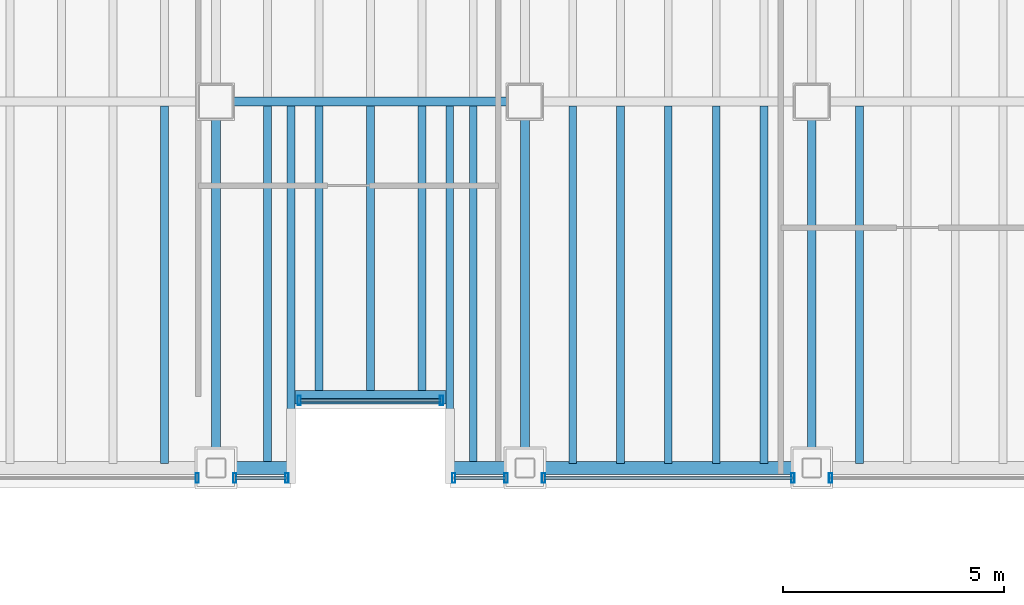
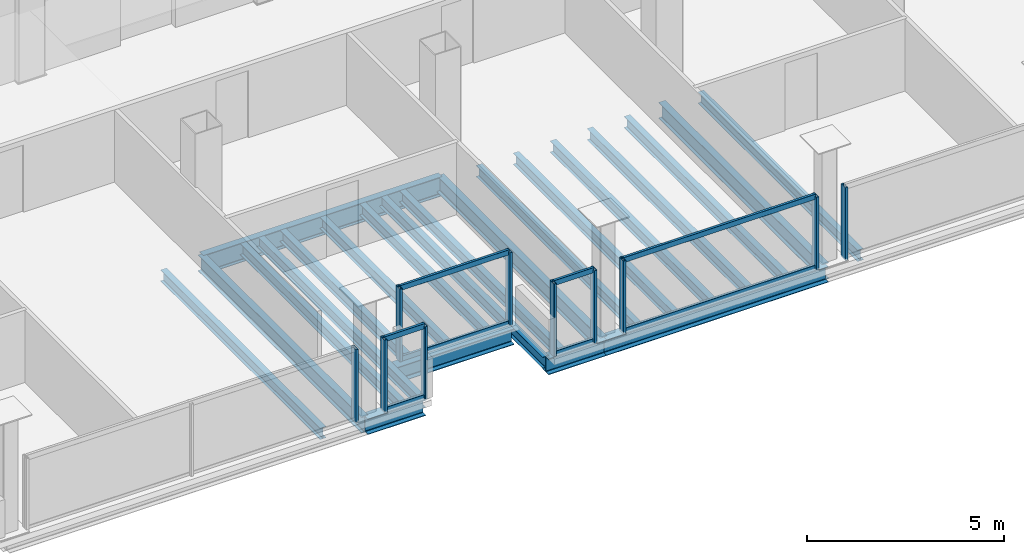
# One storey, part 4 of 17: 22 beams, 18 members, 6 elements without a shape of their own.
"""IFC4 building model written with IfcOpenShell, lengths in metres."""

from ifc_helpers import new_model, si_unit, direction, frame, origin, origin_2d, place, context, subcontext, project, spatial, hollow_rectangle, i_section, extrude, material, material_profile, profile_set, type_object, element, aggregate, save


model = new_model("IFC4")

# Units and contexts
model_context = context("Model", 3, precision=1e-05, world=origin(), true_north=direction((0.0, 1.0)))
body_context = subcontext(model_context, "Body", "Model", "MODEL_VIEW")
ifc_project = project(units=[si_unit("LENGTHUNIT", "METRE"), si_unit("AREAUNIT", "SQUARE_METRE"), si_unit("VOLUMEUNIT", "CUBIC_METRE"), si_unit("PLANEANGLEUNIT", "RADIAN"), si_unit("MASSUNIT", "GRAM", prefix="KILO")], contexts=[model_context])

# Site, building, storey
site_placement = place(None, origin())
site = spatial("IfcSite", under=ifc_project, at=site_placement, CompositionType="ELEMENT")
building_placement = place(site_placement, origin())
building = spatial("IfcBuilding", under=site, at=building_placement, Name="Noeulbin Bourse Tower", CompositionType="ELEMENT")
storey_placement = place(building_placement, frame((0.0, 0.0, 226.699951171875)))
storey = spatial("IfcBuildingStorey", under=building, at=storey_placement, Name="L56", CompositionType="ELEMENT", Elevation=226.699951171875)

# Beams
ifc_material_1 = material(Name="Steel S355", Category="steel")
ifc_material_profile_1 = material_profile(ifc_material_1, i_section(OverallWidth=0.199951171875, OverallDepth=0.5, WebThickness=0.010009765625, FlangeThickness=0.01611328125, FilletRadius=0.02001953125, at=origin_2d()), Name="H-500x200x10x16", Category="LoadBearing")
ifc_profile_set_1 = profile_set([ifc_material_profile_1], Name="Steel S355")
beam_type_1 = type_object("IfcBeamType", Name="BM-GRD-500", PredefinedType="USERDEFINED", material=ifc_profile_set_1)
for number, where, z_axis, x_axis, name in (
    (1, (24.0, 11.699951171875, -0.429931640625), (0.0, 1.0, 0.0), (-1.0, 0.0, 0.0), "Tower Primary Girder NS L56-2.1"),
    (2, (31.0, 11.699951171875, -0.429931640625), (0.0, 1.0, 0.0), (-1.0, 0.0, 0.0), "Tower Primary Girder NS L56-3.1"),
    (3, (37.5, 11.699951171875, -0.429931640625), (0.0, 1.0, 0.0), (-1.0, 0.0, 0.0), "Tower Primary Girder NS L56-4.1"),
):
    element("IfcBeam", number, at=place(storey_placement, frame(where, z_axis=z_axis, x_axis=x_axis)), inside=storey, type_object=beam_type_1, Name=name, ObjectType="GIRDER", PredefinedType="USERDEFINED", context=body_context, shape_type="SweptSolid", body=[
        extrude(i_section(OverallWidth=0.199951171875, OverallDepth=0.5, WebThickness=0.010009765625, FlangeThickness=0.01611328125, FilletRadius=0.02001953125, at=origin_2d()), origin(), (0.0, 0.0, 1.0), 8.300048828125),
    ])
ifc_material_profile_2 = material_profile(ifc_material_1, i_section(OverallWidth=0.199951171875, OverallDepth=0.60009765625, WebThickness=0.010986328125, FlangeThickness=0.01708984375, FilletRadius=0.02197265625, at=origin_2d()), Name="H-600x200x11x17", Category="LoadBearing")
ifc_profile_set_2 = profile_set([ifc_material_profile_2], Name="Steel S355")
beam_type_2 = type_object("IfcBeamType", Name="BM-GRD-600", PredefinedType="USERDEFINED", material=ifc_profile_set_2)
beam_1_placement = place(storey_placement, frame((24.0, 20.0, -0.47998046875), z_axis=(1.0, 0.0, 0.0), x_axis=(0.0, 1.0, 0.0)))
element("IfcBeam", 4, at=beam_1_placement, inside=storey, type_object=beam_type_2, Name="Tower Primary Girder EW L56-1.3", ObjectType="GIRDER", PredefinedType="USERDEFINED", context=body_context, shape_type="SweptSolid", body=[
    extrude(i_section(OverallWidth=0.199951171875, OverallDepth=0.60009765625, WebThickness=0.010986328125, FlangeThickness=0.01708984375, FilletRadius=0.02197265625, at=origin_2d()), origin(), (0.0, 0.0, 1.0), 7.0),
])
ifc_material_profile_3 = material_profile(ifc_material_1, i_section(OverallWidth=0.175048828125, OverallDepth=0.35009765625, WebThickness=0.007080078125, FlangeThickness=0.010986328125, FilletRadius=0.013916015625, at=origin_2d()), Name="H-350x175x7x11", Category="LoadBearing")
ifc_profile_set_3 = profile_set([ifc_material_profile_3], Name="Steel S355")
beam_type_3 = type_object("IfcBeamType", Name="BM-JST-350", PredefinedType="JOIST", material=ifc_profile_set_3)
for number, where, z_axis, x_axis, name in (
    (5, (25.699951171875, 11.699951171875, -0.35498046875), (0.0, 1.0, 0.0), (-1.0, 0.0, 0.0), "BM-L56-SRT-W"),
    (6, (29.300048828125, 11.699951171875, -0.35498046875), (0.0, 1.0, 0.0), (-1.0, 0.0, 0.0), "BM-L56-SRT-E"),
):
    element("IfcBeam", number, at=place(storey_placement, frame(where, z_axis=z_axis, x_axis=x_axis)), inside=storey, type_object=beam_type_3, Name=name, PredefinedType="JOIST", context=body_context, shape_type="SweptSolid", body=[
        extrude(i_section(OverallWidth=0.175048828125, OverallDepth=0.35009765625, WebThickness=0.007080078125, FlangeThickness=0.010986328125, FilletRadius=0.013916015625, at=origin_2d()), origin(), (0.0, 0.0, 1.0), 8.300048828125),
    ])
for number, where, z_axis, x_axis, name in (
    (7, (22.833251953125, 11.800048828125, -0.35498046875), (0.0, 1.0, 0.0), (-1.0, 0.0, 0.0), "Tower Composite Joist L56-15"),
    (8, (25.166748046875, 11.800048828125, -0.35498046875), (0.0, 1.0, 0.0), (-1.0, 0.0, 0.0), "Tower Composite Joist L56-17"),
):
    element("IfcBeam", number, at=place(storey_placement, frame(where, z_axis=z_axis, x_axis=x_axis)), inside=storey, type_object=beam_type_3, Name=name, PredefinedType="JOIST", context=body_context, shape_type="SweptSolid", body=[
        extrude(i_section(OverallWidth=0.175048828125, OverallDepth=0.35009765625, WebThickness=0.007080078125, FlangeThickness=0.010986328125, FilletRadius=0.013916015625, at=origin_2d()), origin(), (0.0, 0.0, 1.0), 8.099853515625),
    ])
for number, where, z_axis, x_axis, name in (
    (9, (26.333251953125, 13.39990234375, -0.35498046875), (0.0, 1.0, 0.0), (-1.0, 0.0, 0.0), "Tower Composite Joist L56-19"),
    (10, (27.5, 13.39990234375, -0.35498046875), (0.0, 1.0, 0.0), (-1.0, 0.0, 0.0), "Tower Composite Joist L56-21"),
    (11, (28.666748046875, 13.39990234375, -0.35498046875), (0.0, 1.0, 0.0), (-1.0, 0.0, 0.0), "Tower Composite Joist L56-23"),
):
    element("IfcBeam", number, at=place(storey_placement, frame(where, z_axis=z_axis, x_axis=x_axis)), inside=storey, type_object=beam_type_3, Name=name, PredefinedType="JOIST", context=body_context, shape_type="SweptSolid", body=[
        extrude(i_section(OverallWidth=0.175048828125, OverallDepth=0.35009765625, WebThickness=0.007080078125, FlangeThickness=0.010986328125, FilletRadius=0.013916015625, at=origin_2d()), origin(), (0.0, 0.0, 1.0), 6.5),
    ])
for number, where, z_axis, x_axis, name in (
    (12, (29.833251953125, 11.800048828125, -0.35498046875), (0.0, 1.0, 0.0), (-1.0, 0.0, 0.0), "Tower Composite Joist L56-25"),
    (13, (32.083251953125, 11.800048828125, -0.35498046875), (0.0, 1.0, 0.0), (-1.0, 0.0, 0.0), "Tower Composite Joist L56-27"),
    (14, (33.166748046875, 11.800048828125, -0.35498046875), (0.0, 1.0, 0.0), (-1.0, 0.0, 0.0), "Tower Composite Joist L56-29"),
    (15, (34.25, 11.800048828125, -0.35498046875), (0.0, 1.0, 0.0), (-1.0, 0.0, 0.0), "Tower Composite Joist L56-31"),
    (16, (35.333251953125, 11.800048828125, -0.35498046875), (0.0, 1.0, 0.0), (-1.0, 0.0, 0.0), "Tower Composite Joist L56-33"),
    (17, (36.416748046875, 11.800048828125, -0.35498046875), (0.0, 1.0, 0.0), (-1.0, 0.0, 0.0), "Tower Composite Joist L56-35"),
    (18, (38.583251953125, 11.800048828125, -0.35498046875), (0.0, 1.0, 0.0), (-1.0, 0.0, 0.0), "Tower Composite Joist L56-37"),
):
    element("IfcBeam", number, at=place(storey_placement, frame(where, z_axis=z_axis, x_axis=x_axis)), inside=storey, type_object=beam_type_3, Name=name, PredefinedType="JOIST", context=body_context, shape_type="SweptSolid", body=[
        extrude(i_section(OverallWidth=0.175048828125, OverallDepth=0.35009765625, WebThickness=0.007080078125, FlangeThickness=0.010986328125, FilletRadius=0.013916015625, at=origin_2d()), origin(), (0.0, 0.0, 1.0), 8.099853515625),
    ])
ifc_material_profile_4 = material_profile(ifc_material_1, i_section(OverallWidth=0.300048828125, OverallDepth=0.488037109375, WebThickness=0.010986328125, FlangeThickness=0.01806640625, FilletRadius=0.02197265625, at=origin_2d()), Name="H-488x300x11x18", Category="LoadBearing")
ifc_profile_set_4 = profile_set([ifc_material_profile_4], Name="Steel S355")
beam_type_4 = type_object("IfcBeamType", Name="BM-SPN-488", PredefinedType="SPANDREL", material=ifc_profile_set_4)
beam_2_placement = place(storey_placement, frame((25.78759765625, 13.300048828125, -0.424072265625), z_axis=(1.0, 0.0, 0.0), x_axis=(0.0, 1.0, 0.0)))
element("IfcBeam", 19, at=beam_2_placement, inside=storey, type_object=beam_type_4, Name="South Recess Spandrel L56-2B", PredefinedType="SPANDREL", context=body_context, shape_type="SweptSolid", body=[
    extrude(i_section(OverallWidth=0.300048828125, OverallDepth=0.488037109375, WebThickness=0.010986328125, FlangeThickness=0.01806640625, FilletRadius=0.02197265625, at=origin_2d()), origin(), (0.0, 0.0, 1.0), 3.4248046875),
])
for number, where, z_axis, x_axis, name in (
    (20, (24.0, 11.699951171875, -0.424072265625), (1.0, 0.0, 0.0), (0.0, 1.0, 0.0), "South Spandrel L56-2A"),
    (21, (29.300048828125, 11.699951171875, -0.424072265625), (1.0, 0.0, 0.0), (0.0, 1.0, 0.0), "South Spandrel L56-2C"),
):
    element("IfcBeam", number, at=place(storey_placement, frame(where, z_axis=z_axis, x_axis=x_axis)), inside=storey, type_object=beam_type_4, Name=name, PredefinedType="SPANDREL", context=body_context, shape_type="SweptSolid", body=[
        extrude(i_section(OverallWidth=0.300048828125, OverallDepth=0.488037109375, WebThickness=0.010986328125, FlangeThickness=0.01806640625, FilletRadius=0.02197265625, at=origin_2d()), origin(), (0.0, 0.0, 1.0), 1.699951171875),
    ])
beam_3_placement = place(storey_placement, frame((31.0, 11.699951171875, -0.424072265625), z_axis=(1.0, 0.0, 0.0), x_axis=(0.0, 1.0, 0.0)))
element("IfcBeam", 22, at=beam_3_placement, inside=storey, type_object=beam_type_4, Name="South Spandrel L56-3", PredefinedType="SPANDREL", context=body_context, shape_type="SweptSolid", body=[
    extrude(i_section(OverallWidth=0.300048828125, OverallDepth=0.488037109375, WebThickness=0.010986328125, FlangeThickness=0.01806640625, FilletRadius=0.02197265625, at=origin_2d()), origin(), (0.0, 0.0, 1.0), 6.5),
])

# Curtain wall, members
ifc_material_2 = material(Name="High-Selectivity Low-Iron Glazing", Category="glass")
curtain_wall_type = type_object("IfcCurtainWallType", Name="CW-SYS-4", PredefinedType="NOTDEFINED", material=ifc_material_2)
curtain_wall_1_placement = place(storey_placement, origin())
curtain_wall_1 = element("IfcCurtainWall", 23, at=curtain_wall_1_placement, inside=storey, type_object=curtain_wall_type, Name="Unitised Curtain Wall CW-L56-SREC", PredefinedType="NOTDEFINED")
ifc_material_3 = material(Name="Anodised Aluminium 6063-T6", Category="aluminium")
ifc_material_profile_5 = material_profile(ifc_material_3, hollow_rectangle(XDim=0.074951171875, YDim=0.219970703125, WallThickness=0.0048828125, InnerFilletRadius=0.00244140625, OuterFilletRadius=0.0048828125, at=origin_2d()), Name="ALU-MULL-75x220x5", Category="LoadBearing")
ifc_profile_set_5 = profile_set([ifc_material_profile_5], Name="Anodised Aluminium 6063-T6")
member_type_1 = type_object("IfcMemberType", Name="CW-SYS-4-MUL", PredefinedType="MULLION", material=ifc_profile_set_5)
member_1_placement = place(storey_placement, frame((25.889892578125, 13.22998046875, -0.02001953125), z_axis=(0.0, 0.0, 1.0), x_axis=(1.0, 0.0, 0.0)))
member_1 = element("IfcMember", 24, at=member_1_placement, type_object=member_type_1, Name="Curtain Wall Mullion CW-L56-SREC-M00", PredefinedType="MULLION", context=body_context, shape_type="SweptSolid", body=[
    extrude(hollow_rectangle(XDim=0.074951171875, YDim=0.219970703125, WallThickness=0.0048828125, InnerFilletRadius=0.00244140625, OuterFilletRadius=0.0048828125, at=origin_2d()), origin(), (0.0, 0.0, 1.0), 2.260009765625),
])
member_2_placement = place(storey_placement, frame((29.110107421875, 13.22998046875, -0.02001953125), z_axis=(0.0, 0.0, 1.0), x_axis=(1.0, 0.0, 0.0)))
member_2 = element("IfcMember", 25, at=member_2_placement, type_object=member_type_1, Name="Curtain Wall Mullion CW-L56-SREC-M01", PredefinedType="MULLION", context=body_context, shape_type="SweptSolid", body=[
    extrude(hollow_rectangle(XDim=0.074951171875, YDim=0.219970703125, WallThickness=0.0048828125, InnerFilletRadius=0.00244140625, OuterFilletRadius=0.0048828125, at=origin_2d()), origin(), (0.0, 0.0, 1.0), 2.260009765625),
])

# Curtain wall, member
curtain_wall_2_placement = place(storey_placement, origin())
curtain_wall_2 = element("IfcCurtainWall", 26, at=curtain_wall_2_placement, inside=storey, type_object=curtain_wall_type, Name="Unitised Curtain Wall CW-L56-S1-S1", PredefinedType="NOTDEFINED")
member_3_placement = place(storey_placement, frame((23.574951171875, 11.469970703125, -0.02001953125), z_axis=(0.0, 0.0, 1.0), x_axis=(1.0, 0.0, 0.0)))
member_3 = element("IfcMember", 27, at=member_3_placement, type_object=member_type_1, Name="Curtain Wall Mullion CW-L56-S1-S1-M02", PredefinedType="MULLION", context=body_context, shape_type="SweptSolid", body=[
    extrude(hollow_rectangle(XDim=0.074951171875, YDim=0.219970703125, WallThickness=0.0048828125, InnerFilletRadius=0.00244140625, OuterFilletRadius=0.0048828125, at=origin_2d()), origin(), (0.0, 0.0, 1.0), 2.260009765625),
])
aggregate(curtain_wall_2, [member_3])

# Curtain wall, members
curtain_wall_3_placement = place(storey_placement, origin())
curtain_wall_3 = element("IfcCurtainWall", 28, at=curtain_wall_3_placement, inside=storey, type_object=curtain_wall_type, Name="Unitised Curtain Wall CW-L56-S1-S2", PredefinedType="NOTDEFINED")
member_4_placement = place(storey_placement, frame((24.425048828125, 11.469970703125, -0.02001953125), z_axis=(0.0, 0.0, 1.0), x_axis=(1.0, 0.0, 0.0)))
member_4 = element("IfcMember", 29, at=member_4_placement, type_object=member_type_1, Name="Curtain Wall Mullion CW-L56-S1-S2-M00", PredefinedType="MULLION", context=body_context, shape_type="SweptSolid", body=[
    extrude(hollow_rectangle(XDim=0.074951171875, YDim=0.219970703125, WallThickness=0.0048828125, InnerFilletRadius=0.00244140625, OuterFilletRadius=0.0048828125, at=origin_2d()), origin(), (0.0, 0.0, 1.0), 2.260009765625),
])
member_5_placement = place(storey_placement, frame((25.610107421875, 11.469970703125, -0.02001953125), z_axis=(0.0, 0.0, 1.0), x_axis=(1.0, 0.0, 0.0)))
member_5 = element("IfcMember", 30, at=member_5_placement, type_object=member_type_1, Name="Curtain Wall Mullion CW-L56-S1-S2-M01", PredefinedType="MULLION", context=body_context, shape_type="SweptSolid", body=[
    extrude(hollow_rectangle(XDim=0.074951171875, YDim=0.219970703125, WallThickness=0.0048828125, InnerFilletRadius=0.00244140625, OuterFilletRadius=0.0048828125, at=origin_2d()), origin(), (0.0, 0.0, 1.0), 2.260009765625),
])

curtain_wall_4_placement = place(storey_placement, origin())
curtain_wall_4 = element("IfcCurtainWall", 31, at=curtain_wall_4_placement, inside=storey, type_object=curtain_wall_type, Name="Unitised Curtain Wall CW-L56-S2-S1", PredefinedType="NOTDEFINED")
member_6_placement = place(storey_placement, frame((29.389892578125, 11.469970703125, -0.02001953125), z_axis=(0.0, 0.0, 1.0), x_axis=(1.0, 0.0, 0.0)))
member_6 = element("IfcMember", 32, at=member_6_placement, type_object=member_type_1, Name="Curtain Wall Mullion CW-L56-S2-S1-M00", PredefinedType="MULLION", context=body_context, shape_type="SweptSolid", body=[
    extrude(hollow_rectangle(XDim=0.074951171875, YDim=0.219970703125, WallThickness=0.0048828125, InnerFilletRadius=0.00244140625, OuterFilletRadius=0.0048828125, at=origin_2d()), origin(), (0.0, 0.0, 1.0), 2.260009765625),
])
member_7_placement = place(storey_placement, frame((30.574951171875, 11.469970703125, -0.02001953125), z_axis=(0.0, 0.0, 1.0), x_axis=(1.0, 0.0, 0.0)))
member_7 = element("IfcMember", 33, at=member_7_placement, type_object=member_type_1, Name="Curtain Wall Mullion CW-L56-S2-S1-M01", PredefinedType="MULLION", context=body_context, shape_type="SweptSolid", body=[
    extrude(hollow_rectangle(XDim=0.074951171875, YDim=0.219970703125, WallThickness=0.0048828125, InnerFilletRadius=0.00244140625, OuterFilletRadius=0.0048828125, at=origin_2d()), origin(), (0.0, 0.0, 1.0), 2.260009765625),
])

curtain_wall_5_placement = place(storey_placement, origin())
curtain_wall_5 = element("IfcCurtainWall", 34, at=curtain_wall_5_placement, inside=storey, type_object=curtain_wall_type, Name="Unitised Curtain Wall CW-L56-S2-S2", PredefinedType="NOTDEFINED")
member_8_placement = place(storey_placement, frame((31.425048828125, 11.469970703125, -0.02001953125), z_axis=(0.0, 0.0, 1.0), x_axis=(1.0, 0.0, 0.0)))
member_8 = element("IfcMember", 35, at=member_8_placement, type_object=member_type_1, Name="Curtain Wall Mullion CW-L56-S2-S2-M00", PredefinedType="MULLION", context=body_context, shape_type="SweptSolid", body=[
    extrude(hollow_rectangle(XDim=0.074951171875, YDim=0.219970703125, WallThickness=0.0048828125, InnerFilletRadius=0.00244140625, OuterFilletRadius=0.0048828125, at=origin_2d()), origin(), (0.0, 0.0, 1.0), 2.260009765625),
])
member_9_placement = place(storey_placement, frame((37.074951171875, 11.469970703125, -0.02001953125), z_axis=(0.0, 0.0, 1.0), x_axis=(1.0, 0.0, 0.0)))
member_9 = element("IfcMember", 36, at=member_9_placement, type_object=member_type_1, Name="Curtain Wall Mullion CW-L56-S2-S2-M01", PredefinedType="MULLION", context=body_context, shape_type="SweptSolid", body=[
    extrude(hollow_rectangle(XDim=0.074951171875, YDim=0.219970703125, WallThickness=0.0048828125, InnerFilletRadius=0.00244140625, OuterFilletRadius=0.0048828125, at=origin_2d()), origin(), (0.0, 0.0, 1.0), 2.260009765625),
])

# Curtain wall, member
curtain_wall_6_placement = place(storey_placement, origin())
curtain_wall_6 = element("IfcCurtainWall", 37, at=curtain_wall_6_placement, inside=storey, type_object=curtain_wall_type, Name="Unitised Curtain Wall CW-L56-S2-S3", PredefinedType="NOTDEFINED")
member_10_placement = place(storey_placement, frame((37.925048828125, 11.469970703125, -0.02001953125), z_axis=(0.0, 0.0, 1.0), x_axis=(1.0, 0.0, 0.0)))
member_10 = element("IfcMember", 38, at=member_10_placement, type_object=member_type_1, Name="Curtain Wall Mullion CW-L56-S2-S3-M00", PredefinedType="MULLION", context=body_context, shape_type="SweptSolid", body=[
    extrude(hollow_rectangle(XDim=0.074951171875, YDim=0.219970703125, WallThickness=0.0048828125, InnerFilletRadius=0.00244140625, OuterFilletRadius=0.0048828125, at=origin_2d()), origin(), (0.0, 0.0, 1.0), 2.260009765625),
])
aggregate(curtain_wall_6, [member_10])

# Member
ifc_material_profile_6 = material_profile(ifc_material_3, hollow_rectangle(XDim=0.074951171875, YDim=0.159912109375, WallThickness=0.0048828125, InnerFilletRadius=0.00244140625, OuterFilletRadius=0.0048828125, at=origin_2d()), Name="ALU-TRAN-75x160x5", Category="LoadBearing")
ifc_profile_set_6 = profile_set([ifc_material_profile_6], Name="Anodised Aluminium 6063-T6")
member_type_2 = type_object("IfcMemberType", Name="CW-SYS-4-TRN", PredefinedType="USERDEFINED", material=ifc_profile_set_6)
member_11_placement = place(storey_placement, frame((25.89990234375, 13.22998046875, 0.010009765625), z_axis=(1.0, 0.0, 0.0), x_axis=(0.0, 1.0, 0.0)))
member_11 = element("IfcMember", 39, at=member_11_placement, type_object=member_type_2, Name="Curtain Wall Transom CW-L56-SREC-T00", ObjectType="TRANSOM", PredefinedType="USERDEFINED", context=body_context, shape_type="SweptSolid", body=[
    extrude(hollow_rectangle(XDim=0.074951171875, YDim=0.159912109375, WallThickness=0.0048828125, InnerFilletRadius=0.00244140625, OuterFilletRadius=0.0048828125, at=origin_2d()), origin(), (0.0, 0.0, 1.0), 3.2001953125),
])

member_12_placement = place(storey_placement, frame((25.89990234375, 13.22998046875, 2.2099609375), z_axis=(1.0, 0.0, 0.0), x_axis=(0.0, 1.0, 0.0)))
member_12 = element("IfcMember", 40, at=member_12_placement, type_object=member_type_2, Name="Curtain Wall Transom CW-L56-SREC-T01", ObjectType="TRANSOM", PredefinedType="USERDEFINED", context=body_context, shape_type="SweptSolid", body=[
    extrude(hollow_rectangle(XDim=0.074951171875, YDim=0.159912109375, WallThickness=0.0048828125, InnerFilletRadius=0.00244140625, OuterFilletRadius=0.0048828125, at=origin_2d()), origin(), (0.0, 0.0, 1.0), 3.2001953125),
])

aggregate(curtain_wall_1, [member_1, member_2, member_11, member_12])

member_13_placement = place(storey_placement, frame((24.43505859375, 11.469970703125, 0.010009765625), z_axis=(1.0, 0.0, 0.0), x_axis=(0.0, 1.0, 0.0)))
member_13 = element("IfcMember", 41, at=member_13_placement, type_object=member_type_2, Name="Curtain Wall Transom CW-L56-S1-S2-T00", ObjectType="TRANSOM", PredefinedType="USERDEFINED", context=body_context, shape_type="SweptSolid", body=[
    extrude(hollow_rectangle(XDim=0.074951171875, YDim=0.159912109375, WallThickness=0.0048828125, InnerFilletRadius=0.00244140625, OuterFilletRadius=0.0048828125, at=origin_2d()), origin(), (0.0, 0.0, 1.0), 1.1650390625),
])

member_14_placement = place(storey_placement, frame((24.43505859375, 11.469970703125, 2.2099609375), z_axis=(1.0, 0.0, 0.0), x_axis=(0.0, 1.0, 0.0)))
member_14 = element("IfcMember", 42, at=member_14_placement, type_object=member_type_2, Name="Curtain Wall Transom CW-L56-S1-S2-T01", ObjectType="TRANSOM", PredefinedType="USERDEFINED", context=body_context, shape_type="SweptSolid", body=[
    extrude(hollow_rectangle(XDim=0.074951171875, YDim=0.159912109375, WallThickness=0.0048828125, InnerFilletRadius=0.00244140625, OuterFilletRadius=0.0048828125, at=origin_2d()), origin(), (0.0, 0.0, 1.0), 1.1650390625),
])

aggregate(curtain_wall_3, [member_4, member_5, member_13, member_14])

member_15_placement = place(storey_placement, frame((29.39990234375, 11.469970703125, 0.010009765625), z_axis=(1.0, 0.0, 0.0), x_axis=(0.0, 1.0, 0.0)))
member_15 = element("IfcMember", 43, at=member_15_placement, type_object=member_type_2, Name="Curtain Wall Transom CW-L56-S2-S1-T00", ObjectType="TRANSOM", PredefinedType="USERDEFINED", context=body_context, shape_type="SweptSolid", body=[
    extrude(hollow_rectangle(XDim=0.074951171875, YDim=0.159912109375, WallThickness=0.0048828125, InnerFilletRadius=0.00244140625, OuterFilletRadius=0.0048828125, at=origin_2d()), origin(), (0.0, 0.0, 1.0), 1.1650390625),
])

member_16_placement = place(storey_placement, frame((29.39990234375, 11.469970703125, 2.2099609375), z_axis=(1.0, 0.0, 0.0), x_axis=(0.0, 1.0, 0.0)))
member_16 = element("IfcMember", 44, at=member_16_placement, type_object=member_type_2, Name="Curtain Wall Transom CW-L56-S2-S1-T01", ObjectType="TRANSOM", PredefinedType="USERDEFINED", context=body_context, shape_type="SweptSolid", body=[
    extrude(hollow_rectangle(XDim=0.074951171875, YDim=0.159912109375, WallThickness=0.0048828125, InnerFilletRadius=0.00244140625, OuterFilletRadius=0.0048828125, at=origin_2d()), origin(), (0.0, 0.0, 1.0), 1.1650390625),
])

aggregate(curtain_wall_4, [member_6, member_7, member_15, member_16])

member_17_placement = place(storey_placement, frame((31.43505859375, 11.469970703125, 0.010009765625), z_axis=(1.0, 0.0, 0.0), x_axis=(0.0, 1.0, 0.0)))
member_17 = element("IfcMember", 45, at=member_17_placement, type_object=member_type_2, Name="Curtain Wall Transom CW-L56-S2-S2-T00", ObjectType="TRANSOM", PredefinedType="USERDEFINED", context=body_context, shape_type="SweptSolid", body=[
    extrude(hollow_rectangle(XDim=0.074951171875, YDim=0.159912109375, WallThickness=0.0048828125, InnerFilletRadius=0.00244140625, OuterFilletRadius=0.0048828125, at=origin_2d()), origin(), (0.0, 0.0, 1.0), 5.6298828125),
])

member_18_placement = place(storey_placement, frame((31.43505859375, 11.469970703125, 2.2099609375), z_axis=(1.0, 0.0, 0.0), x_axis=(0.0, 1.0, 0.0)))
member_18 = element("IfcMember", 46, at=member_18_placement, type_object=member_type_2, Name="Curtain Wall Transom CW-L56-S2-S2-T01", ObjectType="TRANSOM", PredefinedType="USERDEFINED", context=body_context, shape_type="SweptSolid", body=[
    extrude(hollow_rectangle(XDim=0.074951171875, YDim=0.159912109375, WallThickness=0.0048828125, InnerFilletRadius=0.00244140625, OuterFilletRadius=0.0048828125, at=origin_2d()), origin(), (0.0, 0.0, 1.0), 5.6298828125),
])

aggregate(curtain_wall_5, [member_8, member_9, member_17, member_18])

save(model, "model.ifc")
